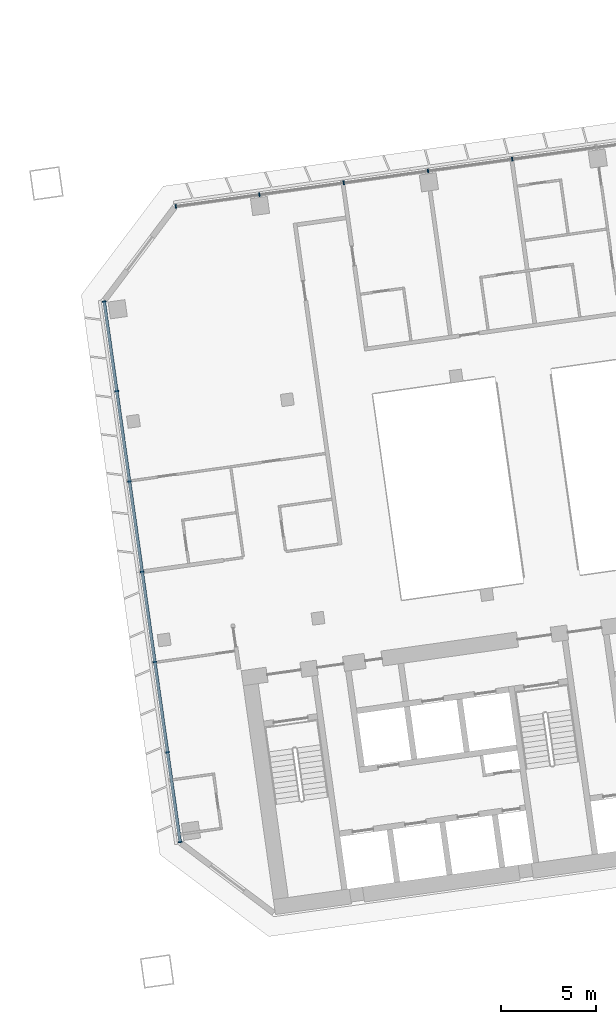
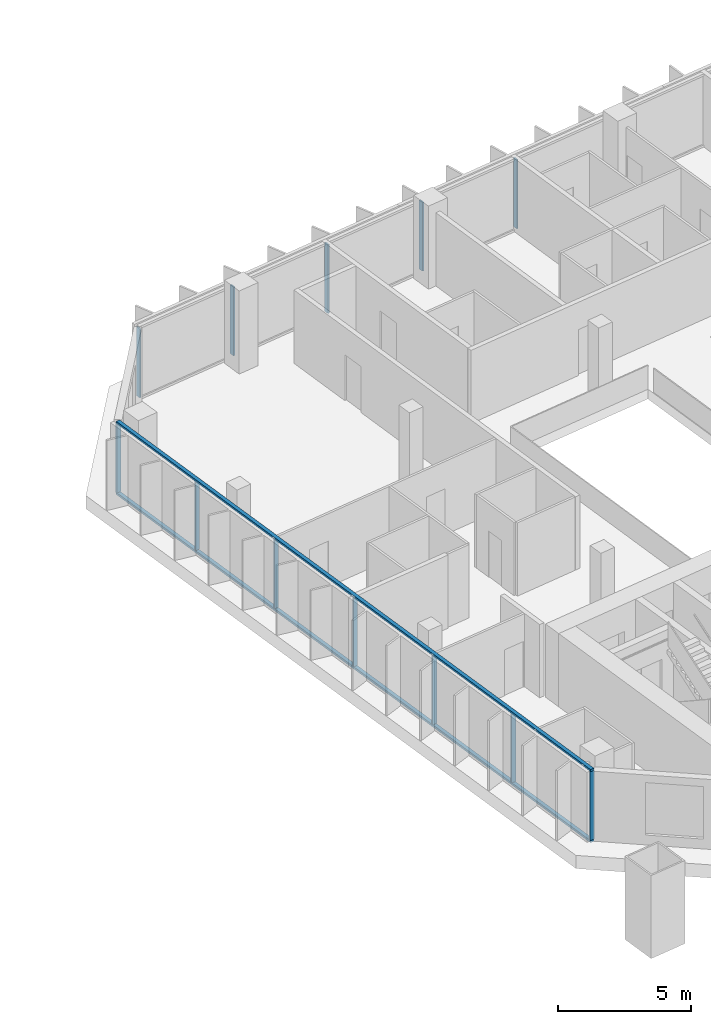
# One storey, part 7 of 26: 14 members, 2 elements without a shape of their own.
"""IFC4 building model written with IfcOpenShell, lengths in metres."""

from ifc_helpers import new_model, si_unit, direction, frame, origin, origin_2d, place, context, subcontext, project, spatial, rectangle, extrude, material, material_profile, profile_set, type_object, element, aggregate, save


model = new_model("IFC4")

# Units and contexts
model_context = context("Model", 3, precision=1e-05, world=origin(), true_north=direction((0.0, 1.0)))
body_context = subcontext(model_context, "Body", "Model", "MODEL_VIEW")
ifc_project = project(units=[si_unit("LENGTHUNIT", "METRE"), si_unit("AREAUNIT", "SQUARE_METRE"), si_unit("VOLUMEUNIT", "CUBIC_METRE"), si_unit("PLANEANGLEUNIT", "RADIAN"), si_unit("MASSUNIT", "GRAM", prefix="KILO")], contexts=[model_context])

# Site, building, storey
site_placement = place(None, origin())
site = spatial("IfcSite", under=ifc_project, at=site_placement, CompositionType="ELEMENT")
building_placement = place(site_placement, origin())
building = spatial("IfcBuilding", under=site, at=building_placement, Name="Mirante Cascada Hotel Towers", CompositionType="ELEMENT")
storey_placement = place(building_placement, frame((0.0, 0.0, 144.3)))
storey = spatial("IfcBuildingStorey", under=building, at=storey_placement, Name="L33", CompositionType="ELEMENT", Elevation=144.3)

# Curtain wall, members
ifc_material_1 = material(Name="Aluminium mullion and transom frame with clear laminated glass", Category="aluminium")
curtain_wall_type_1 = type_object("IfcCurtainWallType", Name="Ribbon curtain wall ECW1", PredefinedType="NOTDEFINED", material=ifc_material_1)
curtain_wall_1_placement = place(storey_placement, origin())
curtain_wall_1 = element("IfcCurtainWall", 1, at=curtain_wall_1_placement, inside=storey, type_object=curtain_wall_type_1, Name="Front ribbon wall T2 L33", PredefinedType="NOTDEFINED")
ifc_material_2 = material(Name="Anodised aluminium extrusion", Category="aluminium")
ifc_material_profile_1 = material_profile(ifc_material_2, rectangle(XDim=0.2, YDim=0.065, at=origin_2d()), Name="ECW1 MULLION 65x200")
ifc_profile_set_1 = profile_set([ifc_material_profile_1], Name="Anodised aluminium extrusion")
member_type_1 = type_object("IfcMemberType", Name="ECW1 mullion 65x200", PredefinedType="MULLION", material=ifc_profile_set_1)
member_1_placement = place(storey_placement, frame((49.684, 19.8017, 0.1), z_axis=(0.0, 0.0, 1.0), x_axis=(0.1391731, -0.9902681, 0.0)))
member_1 = element("IfcMember", 2, at=member_1_placement, type_object=member_type_1, Name="ECW1 mullion 11", PredefinedType="MULLION", context=body_context, shape_type="SweptSolid", body=[
    extrude(rectangle(XDim=0.2, YDim=0.065, at=origin_2d()), origin(), (0.0, 0.0, 1.0), 3.15),
])
member_2_placement = place(storey_placement, frame((45.2366, 19.1766, 0.1), z_axis=(0.0, 0.0, 1.0), x_axis=(0.1391731, -0.9902681, 0.0)))
member_2 = element("IfcMember", 3, at=member_2_placement, type_object=member_type_1, Name="ECW1 mullion 12", PredefinedType="MULLION", context=body_context, shape_type="SweptSolid", body=[
    extrude(rectangle(XDim=0.2, YDim=0.065, at=origin_2d()), origin(), (0.0, 0.0, 1.0), 3.15),
])
member_3_placement = place(storey_placement, frame((40.7892, 18.5516, 0.1), z_axis=(0.0, 0.0, 1.0), x_axis=(0.1391731, -0.9902681, 0.0)))
member_3 = element("IfcMember", 4, at=member_3_placement, type_object=member_type_1, Name="ECW1 mullion 13", PredefinedType="MULLION", context=body_context, shape_type="SweptSolid", body=[
    extrude(rectangle(XDim=0.2, YDim=0.065, at=origin_2d()), origin(), (0.0, 0.0, 1.0), 3.15),
])
member_4_placement = place(storey_placement, frame((36.3417, 17.9265, 0.1), z_axis=(0.0, 0.0, 1.0), x_axis=(0.1391731, -0.9902681, 0.0)))
member_4 = element("IfcMember", 5, at=member_4_placement, type_object=member_type_1, Name="ECW1 mullion 14", PredefinedType="MULLION", context=body_context, shape_type="SweptSolid", body=[
    extrude(rectangle(XDim=0.2, YDim=0.065, at=origin_2d()), origin(), (0.0, 0.0, 1.0), 3.15),
])
member_5_placement = place(storey_placement, frame((31.9265, 17.306, 0.1), z_axis=(0.0, 0.0, 1.0), x_axis=(0.1391731, -0.9902681, 0.0)))
member_5 = element("IfcMember", 6, at=member_5_placement, type_object=member_type_1, Name="ECW1 mullion 15", PredefinedType="MULLION", context=body_context, shape_type="SweptSolid", body=[
    extrude(rectangle(XDim=0.2, YDim=0.065, at=origin_2d()), origin(), (0.0, 0.0, 1.0), 3.15),
])
aggregate(curtain_wall_1, [member_1, member_2, member_3, member_4, member_5])

ifc_material_3 = material(Name="Aluminium mullion and transom frame with clear laminated glass", Category="aluminium")
curtain_wall_type_2 = type_object("IfcCurtainWallType", Name="End ribbon curtain wall ECW2", PredefinedType="NOTDEFINED", material=ifc_material_3)
curtain_wall_2_placement = place(storey_placement, origin())
curtain_wall_2 = element("IfcCurtainWall", 7, at=curtain_wall_2_placement, inside=storey, type_object=curtain_wall_type_2, Name="Inner end wall T2 L33", PredefinedType="NOTDEFINED")
ifc_material_4 = material(Name="Anodised aluminium extrusion", Category="aluminium")
ifc_material_profile_2 = material_profile(ifc_material_4, rectangle(XDim=0.2, YDim=0.065, at=origin_2d()), Name="ECW2 MULLION 65x200")
ifc_profile_set_2 = profile_set([ifc_material_profile_2], Name="Anodised aluminium extrusion")
member_type_2 = type_object("IfcMemberType", Name="ECW2 mullion 65x200", PredefinedType="MULLION", material=ifc_profile_set_2)
member_6_placement = place(storey_placement, frame((28.1437, 12.2861, 0.1), z_axis=(0.0, 0.0, 1.0), x_axis=(0.9902681, 0.1391731, 0.0)))
member_6 = element("IfcMember", 8, at=member_6_placement, type_object=member_type_2, Name="ECW2 mullion 1", PredefinedType="MULLION", context=body_context, shape_type="SweptSolid", body=[
    extrude(rectangle(XDim=0.2, YDim=0.065, at=origin_2d()), origin(), (0.0, 0.0, 1.0), 3.15),
])
member_7_placement = place(storey_placement, frame((28.809, 7.5524, 0.1), z_axis=(0.0, 0.0, 1.0), x_axis=(0.9902681, 0.1391731, 0.0)))
member_7 = element("IfcMember", 9, at=member_7_placement, type_object=member_type_2, Name="ECW2 mullion 2", PredefinedType="MULLION", context=body_context, shape_type="SweptSolid", body=[
    extrude(rectangle(XDim=0.2, YDim=0.065, at=origin_2d()), origin(), (0.0, 0.0, 1.0), 3.15),
])
member_8_placement = place(storey_placement, frame((29.4788, 2.7867, 0.1), z_axis=(0.0, 0.0, 1.0), x_axis=(0.9902681, 0.1391731, 0.0)))
member_8 = element("IfcMember", 10, at=member_8_placement, type_object=member_type_2, Name="ECW2 mullion 3", PredefinedType="MULLION", context=body_context, shape_type="SweptSolid", body=[
    extrude(rectangle(XDim=0.2, YDim=0.065, at=origin_2d()), origin(), (0.0, 0.0, 1.0), 3.15),
])
member_9_placement = place(storey_placement, frame((30.1485, -1.9791, 0.1), z_axis=(0.0, 0.0, 1.0), x_axis=(0.9902681, 0.1391731, 0.0)))
member_9 = element("IfcMember", 11, at=member_9_placement, type_object=member_type_2, Name="ECW2 mullion 4", PredefinedType="MULLION", context=body_context, shape_type="SweptSolid", body=[
    extrude(rectangle(XDim=0.2, YDim=0.065, at=origin_2d()), origin(), (0.0, 0.0, 1.0), 3.15),
])
member_10_placement = place(storey_placement, frame((30.8183, -6.7449, 0.1), z_axis=(0.0, 0.0, 1.0), x_axis=(0.9902681, 0.1391731, 0.0)))
member_10 = element("IfcMember", 12, at=member_10_placement, type_object=member_type_2, Name="ECW2 mullion 5", PredefinedType="MULLION", context=body_context, shape_type="SweptSolid", body=[
    extrude(rectangle(XDim=0.2, YDim=0.065, at=origin_2d()), origin(), (0.0, 0.0, 1.0), 3.15),
])
member_11_placement = place(storey_placement, frame((31.4881, -11.5107, 0.1), z_axis=(0.0, 0.0, 1.0), x_axis=(0.9902681, 0.1391731, 0.0)))
member_11 = element("IfcMember", 13, at=member_11_placement, type_object=member_type_2, Name="ECW2 mullion 6", PredefinedType="MULLION", context=body_context, shape_type="SweptSolid", body=[
    extrude(rectangle(XDim=0.2, YDim=0.065, at=origin_2d()), origin(), (0.0, 0.0, 1.0), 3.15),
])
member_12_placement = place(storey_placement, frame((32.1534, -16.2443, 0.1), z_axis=(0.0, 0.0, 1.0), x_axis=(0.9902681, 0.1391731, 0.0)))
member_12 = element("IfcMember", 14, at=member_12_placement, type_object=member_type_2, Name="ECW2 mullion 7", PredefinedType="MULLION", context=body_context, shape_type="SweptSolid", body=[
    extrude(rectangle(XDim=0.2, YDim=0.065, at=origin_2d()), origin(), (0.0, 0.0, 1.0), 3.15),
])
ifc_material_5 = material(Name="Anodised aluminium extrusion", Category="aluminium")
ifc_material_profile_3 = material_profile(ifc_material_5, rectangle(XDim=0.16, YDim=0.1, at=origin_2d()), Name="ECW2 TRANSOM 100x160")
ifc_profile_set_3 = profile_set([ifc_material_profile_3], Name="Anodised aluminium extrusion")
member_type_3 = type_object("IfcMemberType", Name="ECW2 transom 100x160", PredefinedType="USERDEFINED", material=ifc_profile_set_3)
member_13_placement = place(storey_placement, frame((28.1392, 12.3182, 0.05), z_axis=(0.1391723, -0.9902682, 0.0), x_axis=(0.9902682, 0.1391723, 0.0)))
member_13 = element("IfcMember", 15, at=member_13_placement, type_object=member_type_3, Name="ECW2 sill transom", ObjectType="TRANSOM", PredefinedType="USERDEFINED", context=body_context, shape_type="SweptSolid", body=[
    extrude(rectangle(XDim=0.16, YDim=0.1, at=origin_2d()), origin(), (0.0, 0.0, 1.0), 28.8757),
])
member_14_placement = place(storey_placement, frame((28.1392, 12.3182, 3.3), z_axis=(0.1391723, -0.9902682, 0.0), x_axis=(0.9902682, 0.1391723, 0.0)))
member_14 = element("IfcMember", 16, at=member_14_placement, type_object=member_type_3, Name="ECW2 head transom", ObjectType="TRANSOM", PredefinedType="USERDEFINED", context=body_context, shape_type="SweptSolid", body=[
    extrude(rectangle(XDim=0.16, YDim=0.1, at=origin_2d()), origin(), (0.0, 0.0, 1.0), 28.8757),
])
aggregate(curtain_wall_2, [member_13, member_14, member_6, member_7, member_8, member_9, member_10, member_11, member_12])

save(model, "model.ifc")
